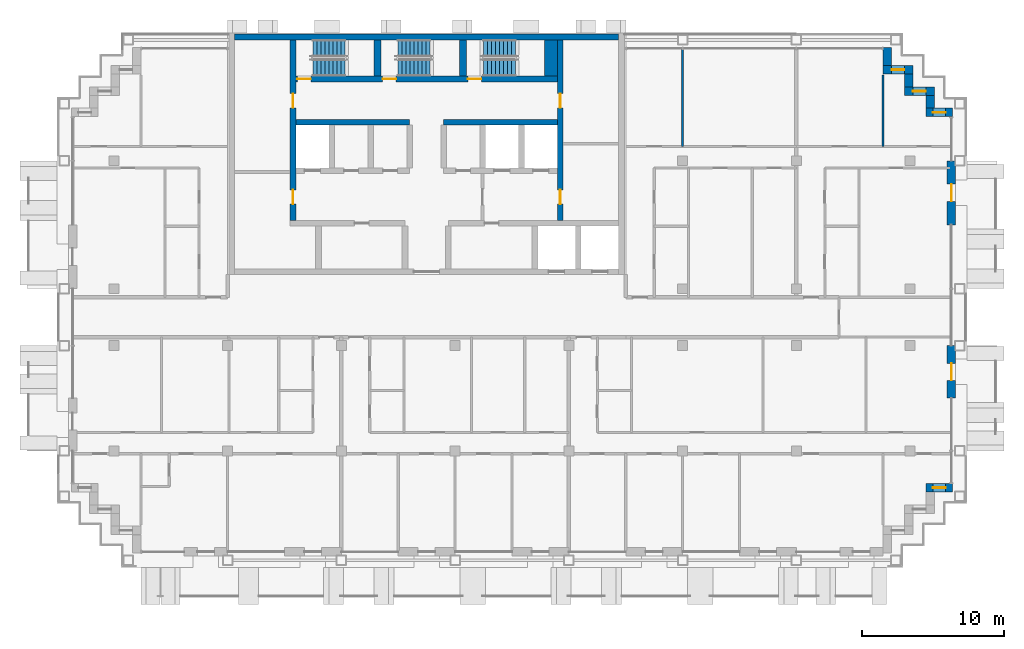
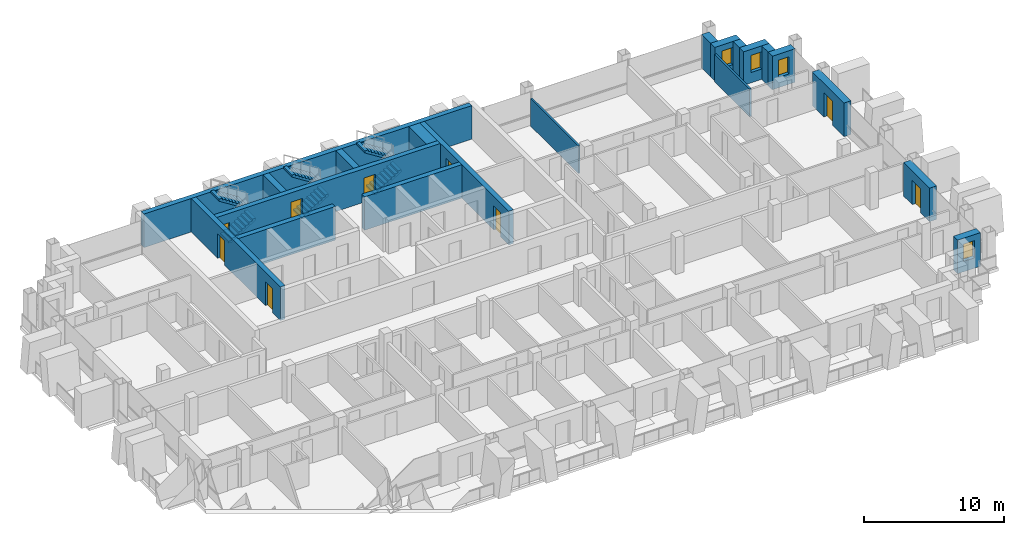
# One storey, part 12 of 16: 20 walls, 9 doors, 6 stair flights, 4 windows, 13 openings, 3 elements without a shape of their own.
"""IFC4 building model written with IfcOpenShell, lengths in metres."""

from ifc_helpers import new_model, si_unit, direction, frame, frame_2d, origin, place, context, subcontext, project, spatial, polyline, rectangle, outline, extrude, material, layer, layer_set, type_object, element, fill, aggregate, save


model = new_model("IFC4")

# Units and contexts
model_context = context("Model", 3, precision=1e-05, world=origin(), true_north=direction((0.0, 1.0)))
body_context = subcontext(model_context, "Body", "Model", "MODEL_VIEW")
ifc_project = project(units=[si_unit("LENGTHUNIT", "METRE"), si_unit("AREAUNIT", "SQUARE_METRE"), si_unit("VOLUMEUNIT", "CUBIC_METRE"), si_unit("PLANEANGLEUNIT", "RADIAN"), si_unit("MASSUNIT", "GRAM", prefix="KILO")], contexts=[model_context])

# Site, building, storey
site_placement = place(None, origin())
site = spatial("IfcSite", under=ifc_project, at=site_placement, CompositionType="ELEMENT")
building_placement = place(site_placement, origin())
building = spatial("IfcBuilding", under=site, at=building_placement, Name="Vidyagriha Tower", CompositionType="ELEMENT")
storey_placement = place(building_placement, frame((0.0, 0.0, 165.300048828125)))
storey = spatial("IfcBuildingStorey", under=building, at=storey_placement, Name="L42", CompositionType="ELEMENT", Elevation=165.300048828125)

# Wall, opening, window
ifc_material_1 = material(Name="Precast concrete C40/50 with brick facing", Category="concrete")
ifc_layer_1 = layer(ifc_material_1, 0.60009765625)
ifc_layer_set_1 = layer_set([ifc_layer_1], Name="Precast concrete C40/50 with brick facing")
wall_type_1 = type_object("IfcWallType", Name="Brick-faced precast wall 600", PredefinedType="STANDARD", material=ifc_layer_set_1)
wall_1_placement = place(storey_placement, frame((36.97998046875, 14.39990234375, 0.0), z_axis=(0.0, 0.0, 1.0), x_axis=(-1.0, 0.0, 0.0)))
wall_1 = element("IfcWall", 1, at=wall_1_placement, inside=storey, type_object=wall_type_1, Name="Stepped corner wall L42 R01", PredefinedType="STANDARD", context=body_context, shape_type="SweptSolid", body=[
    extrude(rectangle(XDim=1.8798828125, YDim=0.60009765625, at=frame_2d((0.93994140625, 0.0))), origin(), (0.0, 0.0, 1.0), 2.919921875),
])
opening_1_placement = place(wall_1_placement, frame((0.489990234375, 0.0, 0.89990234375)))
opening_1 = element("IfcOpeningElement", 2, at=opening_1_placement, cuts=wall_1, Name="Opening WN1", PredefinedType="OPENING", context=body_context, shape_type="SweptSolid", body=[
    extrude(rectangle(XDim=0.89990234375, YDim=1.5, at=frame_2d((0.449951171875, 0.75))), frame((0.0, 0.31005859375, 0.0), z_axis=(0.0, -1.0, 0.0), x_axis=(1.0, 0.0, 0.0)), (0.0, 0.0, 1.0), 0.6201171875),
])
ifc_material_2 = material(Name="Aluminium and glass window", Category="aluminium")
window_type = type_object("IfcWindowType", Name="Reveal window 900x1500", PartitioningType="NOTDEFINED", PredefinedType="WINDOW", material=ifc_material_2)
window_1_placement = place(opening_1_placement, origin())
window_1 = element("IfcWindow", 3, at=window_1_placement, inside=storey, type_object=window_type, Name="Reveal window L42 R01", OverallHeight=1.5, OverallWidth=0.89990234375, PartitioningType="SINGLE_PANEL", PredefinedType="WINDOW", context=body_context, shape_type="SweptSolid", body=[
    extrude(rectangle(XDim=0.89990234375, YDim=1.5, at=frame_2d((0.449951171875, 0.75))), frame((0.0, 0.030029296875, 0.0), z_axis=(0.0, -1.0, 0.0), x_axis=(1.0, 0.0, 0.0)), (0.0, 0.0, 1.0), 0.06005859375),
])
fill(opening_1, window_1)

# Wall
wall_2_placement = place(storey_placement, frame((35.39990234375, 14.699951171875, 0.0), z_axis=(0.0, 0.0, 1.0), x_axis=(0.0, 1.0, 0.0)))
element("IfcWall", 4, at=wall_2_placement, inside=storey, type_object=wall_type_1, Name="Stepped corner wall L42 R02", PredefinedType="STANDARD", context=body_context, shape_type="SweptSolid", body=[
    extrude(rectangle(XDim=0.900146484375, YDim=0.60009765625, at=frame_2d((0.4501953125, 0.0))), origin(), (0.0, 0.0, 1.0), 2.919921875),
])

# Wall, opening, window
wall_3_placement = place(storey_placement, frame((35.699951171875, 15.89990234375, 0.0), z_axis=(0.0, 0.0, 1.0), x_axis=(-1.0, 0.0, 0.0)))
wall_3 = element("IfcWall", 5, at=wall_3_placement, inside=storey, type_object=wall_type_1, Name="Stepped corner wall L42 R03", PredefinedType="STANDARD", context=body_context, shape_type="SweptSolid", body=[
    extrude(rectangle(XDim=2.099853515625, YDim=0.60009765625, at=frame_2d((1.0498046875, 0.0))), origin(), (0.0, 0.0, 1.0), 2.919921875),
])
opening_2_placement = place(wall_3_placement, frame((0.60009765625, 0.0, 0.89990234375)))
opening_2 = element("IfcOpeningElement", 6, at=opening_2_placement, cuts=wall_3, Name="Opening WN1", PredefinedType="OPENING", context=body_context, shape_type="SweptSolid", body=[
    extrude(rectangle(XDim=0.89990234375, YDim=1.5, at=frame_2d((0.449951171875, 0.75))), frame((0.0, 0.31005859375, 0.0), z_axis=(0.0, -1.0, 0.0), x_axis=(1.0, 0.0, 0.0)), (0.0, 0.0, 1.0), 0.6201171875),
])
window_2_placement = place(opening_2_placement, origin())
window_2 = element("IfcWindow", 7, at=window_2_placement, inside=storey, type_object=window_type, Name="Reveal window L42 R03", OverallHeight=1.5, OverallWidth=0.89990234375, PartitioningType="SINGLE_PANEL", PredefinedType="WINDOW", context=body_context, shape_type="SweptSolid", body=[
    extrude(rectangle(XDim=0.89990234375, YDim=1.5, at=frame_2d((0.449951171875, 0.75))), frame((0.0, 0.030029296875, 0.0), z_axis=(0.0, -1.0, 0.0), x_axis=(1.0, 0.0, 0.0)), (0.0, 0.0, 1.0), 0.06005859375),
])
fill(opening_2, window_2)

# Wall
wall_4_placement = place(storey_placement, frame((33.89990234375, 16.199951171875, 0.0), z_axis=(0.0, 0.0, 1.0), x_axis=(0.0, 1.0, 0.0)))
element("IfcWall", 8, at=wall_4_placement, inside=storey, type_object=wall_type_1, Name="Stepped corner wall L42 R04", PredefinedType="STANDARD", context=body_context, shape_type="SweptSolid", body=[
    extrude(rectangle(XDim=0.900146484375, YDim=0.60009765625, at=frame_2d((0.4501953125, 0.0))), origin(), (0.0, 0.0, 1.0), 2.919921875),
])

# Wall, opening, window
wall_5_placement = place(storey_placement, frame((34.199951171875, 17.39990234375, 0.0), z_axis=(0.0, 0.0, 1.0), x_axis=(-1.0, 0.0, 0.0)))
wall_5 = element("IfcWall", 9, at=wall_5_placement, inside=storey, type_object=wall_type_1, Name="Stepped corner wall L42 R05", PredefinedType="STANDARD", context=body_context, shape_type="SweptSolid", body=[
    extrude(rectangle(XDim=2.099853515625, YDim=0.60009765625, at=frame_2d((1.0498046875, 0.0))), origin(), (0.0, 0.0, 1.0), 2.919921875),
])
opening_3_placement = place(wall_5_placement, frame((0.60009765625, 0.0, 0.89990234375)))
opening_3 = element("IfcOpeningElement", 10, at=opening_3_placement, cuts=wall_5, Name="Opening WN1", PredefinedType="OPENING", context=body_context, shape_type="SweptSolid", body=[
    extrude(rectangle(XDim=0.89990234375, YDim=1.5, at=frame_2d((0.449951171875, 0.75))), frame((0.0, 0.31005859375, 0.0), z_axis=(0.0, -1.0, 0.0), x_axis=(1.0, 0.0, 0.0)), (0.0, 0.0, 1.0), 0.6201171875),
])
window_3_placement = place(opening_3_placement, origin())
window_3 = element("IfcWindow", 11, at=window_3_placement, inside=storey, type_object=window_type, Name="Reveal window L42 R05", OverallHeight=1.5, OverallWidth=0.89990234375, PartitioningType="SINGLE_PANEL", PredefinedType="WINDOW", context=body_context, shape_type="SweptSolid", body=[
    extrude(rectangle(XDim=0.89990234375, YDim=1.5, at=frame_2d((0.449951171875, 0.75))), frame((0.0, 0.030029296875, 0.0), z_axis=(0.0, -1.0, 0.0), x_axis=(1.0, 0.0, 0.0)), (0.0, 0.0, 1.0), 0.06005859375),
])
fill(opening_3, window_3)

# Wall
wall_6_placement = place(storey_placement, frame((32.39990234375, 17.699951171875, 0.0), z_axis=(0.0, 0.0, 1.0), x_axis=(0.0, 1.0, 0.0)))
element("IfcWall", 12, at=wall_6_placement, inside=storey, type_object=wall_type_1, Name="Stepped corner wall L42 R06", PredefinedType="STANDARD", context=body_context, shape_type="SweptSolid", body=[
    extrude(rectangle(XDim=1.280029296875, YDim=0.60009765625, at=frame_2d((0.64013671875, 0.0))), origin(), (0.0, 0.0, 1.0), 2.919921875),
])

# Wall, opening, window
wall_7_placement = place(storey_placement, frame((35.10009765625, -12.0, 0.0)))
wall_7 = element("IfcWall", 13, at=wall_7_placement, inside=storey, type_object=wall_type_1, Name="Stepped corner wall L42 R29", PredefinedType="STANDARD", context=body_context, shape_type="SweptSolid", body=[
    extrude(rectangle(XDim=1.8798828125, YDim=0.60009765625, at=frame_2d((0.93994140625, 0.0))), origin(), (0.0, 0.0, 1.0), 2.919921875),
])
opening_4_placement = place(wall_7_placement, frame((0.489990234375, 0.0, 0.89990234375)))
opening_4 = element("IfcOpeningElement", 14, at=opening_4_placement, cuts=wall_7, Name="Opening WN1", PredefinedType="OPENING", context=body_context, shape_type="SweptSolid", body=[
    extrude(rectangle(XDim=0.89990234375, YDim=1.5, at=frame_2d((0.449951171875, 0.75))), frame((0.0, 0.31005859375, 0.0), z_axis=(0.0, -1.0, 0.0), x_axis=(1.0, 0.0, 0.0)), (0.0, 0.0, 1.0), 0.6201171875),
])
window_4_placement = place(opening_4_placement, origin())
window_4 = element("IfcWindow", 15, at=window_4_placement, inside=storey, type_object=window_type, Name="Reveal window L42 R29", OverallHeight=1.5, OverallWidth=0.89990234375, PartitioningType="SINGLE_PANEL", PredefinedType="WINDOW", context=body_context, shape_type="SweptSolid", body=[
    extrude(rectangle(XDim=0.89990234375, YDim=1.5, at=frame_2d((0.449951171875, 0.75))), frame((0.0, 0.030029296875, 0.0), z_axis=(0.0, -1.0, 0.0), x_axis=(1.0, 0.0, 0.0)), (0.0, 0.0, 1.0), 0.06005859375),
])
fill(opening_4, window_4)

# Wall, opening, door
wall_8_placement = place(storey_placement, frame((36.89990234375, -5.699951171875, 0.0), z_axis=(0.0, 0.0, 1.0), x_axis=(0.0, 1.0, 0.0)))
wall_8 = element("IfcWall", 16, at=wall_8_placement, inside=storey, type_object=wall_type_1, Name="Brick door bay wall L42 R30.3", PredefinedType="STANDARD", context=body_context, shape_type="SweptSolid", body=[
    extrude(rectangle(XDim=3.699951171875, YDim=0.60009765625, at=frame_2d((1.85009765625, 0.0))), origin(), (0.0, 0.0, 1.0), 2.919921875),
])
opening_5_placement = place(wall_8_placement, frame((1.25, 0.0, 0.0)))
opening_5 = element("IfcOpeningElement", 17, at=opening_5_placement, cuts=wall_8, Name="Opening D42-75", PredefinedType="OPENING", context=body_context, shape_type="SweptSolid", body=[
    extrude(rectangle(XDim=1.199951171875, YDim=2.10009765625, at=frame_2d((0.60009765625, 1.050048828125))), frame((0.0, 0.31005859375, 0.0), z_axis=(0.0, -1.0, 0.0), x_axis=(1.0, 0.0, 0.0)), (0.0, 0.0, 1.0), 0.6201171875),
])
ifc_material_3 = material(Name="Aluminium framed glazed sliding door", Category="aluminium")
door_type_1 = type_object("IfcDoorType", Name="Balcony sliding door 1200x2100", OperationType="NOTDEFINED", PredefinedType="DOOR", material=ifc_material_3)
door_1_placement = place(opening_5_placement, origin())
door_1 = element("IfcDoor", 18, at=door_1_placement, inside=storey, type_object=door_type_1, Name="Door D42-75", OperationType="SLIDING_TO_LEFT", OverallHeight=2.10009765625, OverallWidth=1.199951171875, PredefinedType="DOOR", context=body_context, shape_type="SweptSolid", body=[
    extrude(rectangle(XDim=1.199951171875, YDim=2.10009765625, at=frame_2d((0.60009765625, 1.050048828125))), frame((0.0, 0.02490234375, 0.0), z_axis=(0.0, -1.0, 0.0), x_axis=(1.0, 0.0, 0.0)), (0.0, 0.0, 1.0), 0.050048828125),
])
fill(opening_5, door_1)

wall_9_placement = place(storey_placement, frame((36.89990234375, 6.5, 0.0), z_axis=(0.0, 0.0, 1.0), x_axis=(0.0, 1.0, 0.0)))
wall_9 = element("IfcWall", 19, at=wall_9_placement, inside=storey, type_object=wall_type_1, Name="Brick door bay wall L42 R30.6", PredefinedType="STANDARD", context=body_context, shape_type="SweptSolid", body=[
    extrude(rectangle(XDim=4.5, YDim=0.60009765625, at=frame_2d((2.25, 0.0))), origin(), (0.0, 0.0, 1.0), 2.919921875),
])
opening_6_placement = place(wall_9_placement, frame((1.64990234375, 0.0, 0.0)))
opening_6 = element("IfcOpeningElement", 20, at=opening_6_placement, cuts=wall_9, Name="Opening D42-76", PredefinedType="OPENING", context=body_context, shape_type="SweptSolid", body=[
    extrude(rectangle(XDim=1.199951171875, YDim=2.10009765625, at=frame_2d((0.60009765625, 1.050048828125))), frame((0.0, 0.31005859375, 0.0), z_axis=(0.0, -1.0, 0.0), x_axis=(1.0, 0.0, 0.0)), (0.0, 0.0, 1.0), 0.6201171875),
])
door_2_placement = place(opening_6_placement, origin())
door_2 = element("IfcDoor", 21, at=door_2_placement, inside=storey, type_object=door_type_1, Name="Door D42-76", OperationType="SLIDING_TO_LEFT", OverallHeight=2.10009765625, OverallWidth=1.199951171875, PredefinedType="DOOR", context=body_context, shape_type="SweptSolid", body=[
    extrude(rectangle(XDim=1.199951171875, YDim=2.10009765625, at=frame_2d((0.60009765625, 1.050048828125))), frame((0.0, 0.02490234375, 0.0), z_axis=(0.0, -1.0, 0.0), x_axis=(1.0, 0.0, 0.0)), (0.0, 0.0, 1.0), 0.050048828125),
])
fill(opening_6, door_2)

# Wall
ifc_material_4 = material(Name="Concrete C60/75", Category="concrete")
ifc_layer_2 = layer(ifc_material_4, 0.39990234375)
ifc_layer_set_2 = layer_set([ifc_layer_2], Name="Concrete C60/75")
wall_type_2 = type_object("IfcWallType", Name="Core shear wall 400 mm", PredefinedType="SHEAR", material=ifc_layer_set_2)
wall_10_placement = place(storey_placement, frame((-13.5, 19.699951171875, 0.0)))
element("IfcWall", 22, at=wall_10_placement, inside=storey, type_object=wall_type_2, Name="Core north wall", PredefinedType="SHEAR", context=body_context, shape_type="SweptSolid", body=[
    extrude(rectangle(XDim=27.0, YDim=0.39990234375, at=frame_2d((13.5, 0.0))), origin(), (0.0, 0.0, 1.0), 2.919921875),
])

# Wall, openings, doors
wall_11_placement = place(storey_placement, frame((-9.39990234375, 6.800048828125, 0.0), z_axis=(0.0, 0.0, 1.0), x_axis=(0.0, 1.0, 0.0)))
wall_11 = element("IfcWall", 23, at=wall_11_placement, inside=storey, type_object=wall_type_2, Name="Core west spine wall", PredefinedType="SHEAR", context=body_context, shape_type="SweptSolid", body=[
    extrude(rectangle(XDim=12.699951171875, YDim=0.39990234375, at=frame_2d((6.35009765625, 0.0))), origin(), (0.0, 0.0, 1.0), 2.919921875),
])
opening_7_placement = place(wall_11_placement, frame((1.14990234375, 0.0, 0.0)))
opening_7 = element("IfcOpeningElement", 24, at=opening_7_placement, cuts=wall_11, Name="Opening D42-11", PredefinedType="OPENING", context=body_context, shape_type="SweptSolid", body=[
    extrude(rectangle(XDim=1.0, YDim=2.10009765625, at=frame_2d((0.5, 1.050048828125))), frame((0.0, 0.2099609375, 0.0), z_axis=(0.0, -1.0, 0.0), x_axis=(1.0, 0.0, 0.0)), (0.0, 0.0, 1.0), 0.419921875),
])
opening_8_placement = place(wall_11_placement, frame((7.925048828125, 0.0, 0.0)))
opening_8 = element("IfcOpeningElement", 25, at=opening_8_placement, cuts=wall_11, Name="Opening D42-12", PredefinedType="OPENING", context=body_context, shape_type="SweptSolid", body=[
    extrude(rectangle(XDim=1.0, YDim=2.10009765625, at=frame_2d((0.5, 1.050048828125))), frame((0.0, 0.2099609375, 0.0), z_axis=(0.0, -1.0, 0.0), x_axis=(1.0, 0.0, 0.0)), (0.0, 0.0, 1.0), 0.419921875),
])
ifc_material_5 = material(Name="Hollow metal door leaf")
door_type_2 = type_object("IfcDoorType", Name="Core room door 1000 x 2100 mm EI 60", OperationType="NOTDEFINED", PredefinedType="DOOR", material=ifc_material_5)
door_3_placement = place(opening_7_placement, frame((1.0, 0.0, 0.0), z_axis=(0.0, 0.0, 1.0), x_axis=(-1.0, 0.0, 0.0)))
door_3 = element("IfcDoor", 26, at=door_3_placement, inside=storey, type_object=door_type_2, Name="Door Storage Room 42.W1", OperationType="SINGLE_SWING_RIGHT", OverallHeight=2.10009765625, OverallWidth=1.0, PredefinedType="DOOR", context=body_context, shape_type="SweptSolid", body=[
    extrude(rectangle(XDim=1.0, YDim=2.10009765625, at=frame_2d((0.5, 1.050048828125))), frame((0.0, 0.02490234375, 0.0), z_axis=(0.0, -1.0, 0.0), x_axis=(1.0, 0.0, 0.0)), (0.0, 0.0, 1.0), 0.050048828125),
])
fill(opening_7, door_3)
door_4_placement = place(opening_8_placement, frame((1.0, 0.0, 0.0), z_axis=(0.0, 0.0, 1.0), x_axis=(-1.0, 0.0, 0.0)))
door_4 = element("IfcDoor", 27, at=door_4_placement, inside=storey, type_object=door_type_2, Name="Door Cleaners Store 42.W2", OperationType="SINGLE_SWING_LEFT", OverallHeight=2.10009765625, OverallWidth=1.0, PredefinedType="DOOR", context=body_context, shape_type="SweptSolid", body=[
    extrude(rectangle(XDim=1.0, YDim=2.10009765625, at=frame_2d((0.5, 1.050048828125))), frame((0.0, 0.02490234375, 0.0), z_axis=(0.0, -1.0, 0.0), x_axis=(1.0, 0.0, 0.0)), (0.0, 0.0, 1.0), 0.050048828125),
])
fill(opening_8, door_4)

wall_12_placement = place(storey_placement, frame((9.39990234375, 6.800048828125, 0.0), z_axis=(0.0, 0.0, 1.0), x_axis=(0.0, 1.0, 0.0)))
wall_12 = element("IfcWall", 28, at=wall_12_placement, inside=storey, type_object=wall_type_2, Name="Core east spine wall", PredefinedType="SHEAR", context=body_context, shape_type="SweptSolid", body=[
    extrude(rectangle(XDim=12.699951171875, YDim=0.39990234375, at=frame_2d((6.35009765625, 0.0))), origin(), (0.0, 0.0, 1.0), 2.919921875),
])
opening_9_placement = place(wall_12_placement, frame((1.14990234375, 0.0, 0.0)))
opening_9 = element("IfcOpeningElement", 29, at=opening_9_placement, cuts=wall_12, Name="Opening D42-13", PredefinedType="OPENING", context=body_context, shape_type="SweptSolid", body=[
    extrude(rectangle(XDim=1.0, YDim=2.10009765625, at=frame_2d((0.5, 1.050048828125))), frame((0.0, 0.2099609375, 0.0), z_axis=(0.0, -1.0, 0.0), x_axis=(1.0, 0.0, 0.0)), (0.0, 0.0, 1.0), 0.419921875),
])
opening_10_placement = place(wall_12_placement, frame((7.925048828125, 0.0, 0.0)))
opening_10 = element("IfcOpeningElement", 30, at=opening_10_placement, cuts=wall_12, Name="Opening D42-14", PredefinedType="OPENING", context=body_context, shape_type="SweptSolid", body=[
    extrude(rectangle(XDim=1.0, YDim=2.10009765625, at=frame_2d((0.5, 1.050048828125))), frame((0.0, 0.2099609375, 0.0), z_axis=(0.0, -1.0, 0.0), x_axis=(1.0, 0.0, 0.0)), (0.0, 0.0, 1.0), 0.419921875),
])
door_5_placement = place(opening_9_placement, origin())
door_5 = element("IfcDoor", 31, at=door_5_placement, inside=storey, type_object=door_type_2, Name="Door Communications Room 42.E1", OperationType="SINGLE_SWING_RIGHT", OverallHeight=2.10009765625, OverallWidth=1.0, PredefinedType="DOOR", context=body_context, shape_type="SweptSolid", body=[
    extrude(rectangle(XDim=1.0, YDim=2.10009765625, at=frame_2d((0.5, 1.050048828125))), frame((0.0, 0.02490234375, 0.0), z_axis=(0.0, -1.0, 0.0), x_axis=(1.0, 0.0, 0.0)), (0.0, 0.0, 1.0), 0.050048828125),
])
fill(opening_9, door_5)
door_6_placement = place(opening_10_placement, origin())
door_6 = element("IfcDoor", 32, at=door_6_placement, inside=storey, type_object=door_type_2, Name="Door Riser Room 42.E2", OperationType="SINGLE_SWING_LEFT", OverallHeight=2.10009765625, OverallWidth=1.0, PredefinedType="DOOR", context=body_context, shape_type="SweptSolid", body=[
    extrude(rectangle(XDim=1.0, YDim=2.10009765625, at=frame_2d((0.5, 1.050048828125))), frame((0.0, 0.02490234375, 0.0), z_axis=(0.0, -1.0, 0.0), x_axis=(1.0, 0.0, 0.0)), (0.0, 0.0, 1.0), 0.050048828125),
])
fill(opening_10, door_6)

# Walls
for number, where, name in (
    (33, (-9.199951171875, 13.699951171875, 0.0), "Core row N rear wall"),
    (34, (1.199951171875, 13.699951171875, 0.0), "Core row N rear wall"),
):
    element("IfcWall", number, at=place(storey_placement, frame(where)), inside=storey, type_object=wall_type_2, Name=name, PredefinedType="SHEAR", context=body_context, shape_type="SweptSolid", body=[
        extrude(rectangle(XDim=8.0, YDim=0.39990234375, at=frame_2d((4.0, 0.0))), origin(), (0.0, 0.0, 1.0), 2.919921875),
    ])

# Wall, openings, doors
wall_13_placement = place(storey_placement, frame((-9.199951171875, 16.75, 0.0)))
wall_13 = element("IfcWall", 35, at=wall_13_placement, inside=storey, type_object=wall_type_2, Name="Stair front wall", PredefinedType="SHEAR", context=body_context, shape_type="SweptSolid", body=[
    extrude(rectangle(XDim=18.39990234375, YDim=0.39990234375, at=frame_2d((9.199951171875, 0.0))), origin(), (0.0, 0.0, 1.0), 2.919921875),
])
opening_11_placement = place(wall_13_placement, frame((0.10009765625, 0.0, 0.0)))
opening_11 = element("IfcOpeningElement", 36, at=opening_11_placement, cuts=wall_13, Name="Opening D42-08", PredefinedType="OPENING", context=body_context, shape_type="SweptSolid", body=[
    extrude(rectangle(XDim=0.949951171875, YDim=2.10009765625, at=frame_2d((0.47509765625, 1.050048828125))), frame((0.0, 0.2099609375, 0.0), z_axis=(0.0, -1.0, 0.0), x_axis=(1.0, 0.0, 0.0)), (0.0, 0.0, 1.0), 0.419921875),
])
opening_12_placement = place(wall_13_placement, frame((6.10009765625, 0.0, 0.0)))
opening_12 = element("IfcOpeningElement", 37, at=opening_12_placement, cuts=wall_13, Name="Opening D42-09", PredefinedType="OPENING", context=body_context, shape_type="SweptSolid", body=[
    extrude(rectangle(XDim=0.949951171875, YDim=2.10009765625, at=frame_2d((0.47509765625, 1.050048828125))), frame((0.0, 0.2099609375, 0.0), z_axis=(0.0, -1.0, 0.0), x_axis=(1.0, 0.0, 0.0)), (0.0, 0.0, 1.0), 0.419921875),
])
opening_13_placement = place(wall_13_placement, frame((12.10009765625, 0.0, 0.0)))
opening_13 = element("IfcOpeningElement", 38, at=opening_13_placement, cuts=wall_13, Name="Opening D42-10", PredefinedType="OPENING", context=body_context, shape_type="SweptSolid", body=[
    extrude(rectangle(XDim=0.949951171875, YDim=2.10009765625, at=frame_2d((0.47509765625, 1.050048828125))), frame((0.0, 0.2099609375, 0.0), z_axis=(0.0, -1.0, 0.0), x_axis=(1.0, 0.0, 0.0)), (0.0, 0.0, 1.0), 0.419921875),
])
ifc_material_6 = material(Name="Hollow metal door leaf")
door_type_3 = type_object("IfcDoorType", Name="Exit stair door 950 x 2100 mm EI 90", OperationType="NOTDEFINED", PredefinedType="DOOR", material=ifc_material_6)
door_7_placement = place(opening_11_placement, origin())
door_7 = element("IfcDoor", 39, at=door_7_placement, inside=storey, type_object=door_type_3, Name="Stair door ST1 L42", OperationType="SINGLE_SWING_LEFT", OverallHeight=2.10009765625, OverallWidth=0.949951171875, PredefinedType="DOOR", context=body_context, shape_type="SweptSolid", body=[
    extrude(rectangle(XDim=0.949951171875, YDim=2.10009765625, at=frame_2d((0.47509765625, 1.050048828125))), frame((0.0, 0.02490234375, 0.0), z_axis=(0.0, -1.0, 0.0), x_axis=(1.0, 0.0, 0.0)), (0.0, 0.0, 1.0), 0.050048828125),
])
fill(opening_11, door_7)
door_8_placement = place(opening_12_placement, origin())
door_8 = element("IfcDoor", 40, at=door_8_placement, inside=storey, type_object=door_type_3, Name="Stair door ST2 L42", OperationType="SINGLE_SWING_LEFT", OverallHeight=2.10009765625, OverallWidth=0.949951171875, PredefinedType="DOOR", context=body_context, shape_type="SweptSolid", body=[
    extrude(rectangle(XDim=0.949951171875, YDim=2.10009765625, at=frame_2d((0.47509765625, 1.050048828125))), frame((0.0, 0.02490234375, 0.0), z_axis=(0.0, -1.0, 0.0), x_axis=(1.0, 0.0, 0.0)), (0.0, 0.0, 1.0), 0.050048828125),
])
fill(opening_12, door_8)
door_9_placement = place(opening_13_placement, origin())
door_9 = element("IfcDoor", 41, at=door_9_placement, inside=storey, type_object=door_type_3, Name="Stair door ST3 L42", OperationType="SINGLE_SWING_LEFT", OverallHeight=2.10009765625, OverallWidth=0.949951171875, PredefinedType="DOOR", context=body_context, shape_type="SweptSolid", body=[
    extrude(rectangle(XDim=0.949951171875, YDim=2.10009765625, at=frame_2d((0.47509765625, 1.050048828125))), frame((0.0, 0.02490234375, 0.0), z_axis=(0.0, -1.0, 0.0), x_axis=(1.0, 0.0, 0.0)), (0.0, 0.0, 1.0), 0.050048828125),
])
fill(opening_13, door_9)

# Walls
ifc_material_7 = material(Name="Concrete C60/75", Category="concrete")
ifc_layer_3 = layer(ifc_material_7, 0.5)
ifc_layer_set_3 = layer_set([ifc_layer_3], Name="Concrete C60/75")
wall_type_3 = type_object("IfcWallType", Name="Core shear wall 500 mm", PredefinedType="SHEAR", material=ifc_layer_set_3)
for number, where, z_axis, x_axis, name in (
    (42, (-3.449951171875, 16.949951171875, 0.0), (0.0, 0.0, 1.0), (0.0, 1.0, 0.0), "Stair partition wall 1"),
    (43, (2.550048828125, 16.949951171875, 0.0), (0.0, 0.0, 1.0), (0.0, 1.0, 0.0), "Stair partition wall 2"),
):
    element("IfcWall", number, at=place(storey_placement, frame(where, z_axis=z_axis, x_axis=x_axis)), inside=storey, type_object=wall_type_3, Name=name, PredefinedType="SHEAR", context=body_context, shape_type="SweptSolid", body=[
        extrude(rectangle(XDim=2.550048828125, YDim=0.5, at=frame_2d((1.27490234375, 0.0))), origin(), (0.0, 0.0, 1.0), 2.919921875),
    ])
ifc_material_8 = material(Name="Concrete C60/75", Category="concrete")
ifc_layer_4 = layer(ifc_material_8, 0.89990234375)
ifc_layer_set_4 = layer_set([ifc_layer_4], Name="Concrete C60/75")
wall_type_4 = type_object("IfcWallType", Name="Core shear wall 900 mm", PredefinedType="SHEAR", material=ifc_layer_set_4)
wall_14_placement = place(storey_placement, frame((8.75, 16.949951171875, 0.0), z_axis=(0.0, 0.0, 1.0), x_axis=(0.0, 1.0, 0.0)))
element("IfcWall", 44, at=wall_14_placement, inside=storey, type_object=wall_type_4, Name="Stair end wall", PredefinedType="SHEAR", context=body_context, shape_type="SweptSolid", body=[
    extrude(rectangle(XDim=2.550048828125, YDim=0.89990234375, at=frame_2d((1.27490234375, 0.0))), origin(), (0.0, 0.0, 1.0), 2.919921875),
])
ifc_material_9 = material(Name="Gypsum board partition")
ifc_layer_5 = layer(ifc_material_9, 0.14990234375)
ifc_layer_set_5 = layer_set([ifc_layer_5], Name="Gypsum board partition")
wall_type_5 = type_object("IfcWallType", Name="Gypsum board partition 150", PredefinedType="PARTITIONING", material=ifc_layer_set_5)
wall_15_placement = place(storey_placement, frame((18.0, 18.821044921875, 0.0), z_axis=(0.0, 0.0, 1.0), x_axis=(0.0, -1.0, 0.0)))
element("IfcWall", 45, at=wall_15_placement, inside=storey, type_object=wall_type_5, Name="Wall all-L42-w094", PredefinedType="PARTITIONING", context=body_context, shape_type="SweptSolid", body=[
    extrude(rectangle(XDim=6.821044921875, YDim=0.14990234375, at=frame_2d((3.41064453125, 0.0))), origin(), (0.0, 0.0, 1.0), 2.39990234375),
])
wall_16_placement = place(storey_placement, frame((32.10009765625, 17.02001953125, 0.0), z_axis=(0.0, 0.0, 1.0), x_axis=(0.0, -1.0, 0.0)))
element("IfcWall", 46, at=wall_16_placement, inside=storey, type_object=wall_type_5, Name="Wall all-L42-w106", PredefinedType="PARTITIONING", context=body_context, shape_type="SweptSolid", body=[
    extrude(rectangle(XDim=5.02001953125, YDim=0.14990234375, at=frame_2d((2.510009765625, 0.0))), origin(), (0.0, 0.0, 1.0), 2.39990234375),
])

# Stair, stair flights
ifc_material_10 = material(Name="Concrete C40/50", Category="concrete")
stair_type = type_object("IfcStairType", Name="Exit stair, half-turn, precast flights", PredefinedType="HALF_TURN_STAIR", material=ifc_material_10)
stair_1_placement = place(storey_placement, origin())
stair_1 = element("IfcStair", 47, at=stair_1_placement, inside=storey, type_object=stair_type, Name="L42 Exit Stair ST1", PredefinedType="HALF_TURN_STAIR")
ifc_material_11 = material(Name="Precast concrete C40/50", Category="concrete")
stair_flight_type = type_object("IfcStairFlightType", Name="Exit stair flight 1200 mm, precast", PredefinedType="STRAIGHT", material=ifc_material_11)
stair_flight_1_placement = place(storey_placement, frame((-8.0, 17.550048828125, 0.0)))
stair_flight_1 = element("IfcStairFlight", 48, at=stair_flight_1_placement, type_object=stair_flight_type, Name="ST1 flight 1", NumberOfRisers=9, NumberOfTreads=8, PredefinedType="STRAIGHT", RiserHeight=0.177777778, TreadLength=0.28, context=body_context, shape_type="SweptSolid", body=[
    extrude(outline(polyline([(0.0, 0.0), (0.0, 0.177734375), (0.280029296875, 0.177734375), (0.280029296875, 0.35546875), (0.56005859375, 0.35546875), (0.56005859375, 0.533447265625), (0.840087890625, 0.533447265625), (0.840087890625, 0.711181640625), (1.1201171875, 0.711181640625), (1.1201171875, 0.888916015625), (1.39990234375, 0.888916015625), (1.39990234375, 1.066650390625), (1.679931640625, 1.066650390625), (1.679931640625, 1.244384765625), (1.9599609375, 1.244384765625), (1.9599609375, 1.422119140625), (2.239990234375, 1.422119140625), (2.239990234375, 1.60009765625), (2.239990234375, 1.24462890625), (0.27978515625, 0.0), (0.0, 0.0)])), frame((0.0, 0.60009765625, 0.0), z_axis=(0.0, -1.0, 0.0), x_axis=(1.0, 0.0, 0.0)), (0.0, 0.0, 1.0), 1.199951171875),
])
stair_flight_2_placement = place(storey_placement, frame((-5.760009765625, 18.89990234375, 1.599853515625), z_axis=(0.0, 0.0, 1.0), x_axis=(-1.0, 0.0, 0.0)))
stair_flight_2 = element("IfcStairFlight", 49, at=stair_flight_2_placement, type_object=stair_flight_type, Name="ST1 flight 2", NumberOfRisers=9, NumberOfTreads=8, PredefinedType="STRAIGHT", RiserHeight=0.177777778, TreadLength=0.28, context=body_context, shape_type="SweptSolid", body=[
    extrude(outline(polyline([(0.0, 0.0), (0.0, 0.177734375), (0.280029296875, 0.177734375), (0.280029296875, 0.35546875), (0.56005859375, 0.35546875), (0.56005859375, 0.533447265625), (0.840087890625, 0.533447265625), (0.840087890625, 0.711181640625), (1.1201171875, 0.711181640625), (1.1201171875, 0.888916015625), (1.39990234375, 0.888916015625), (1.39990234375, 1.066650390625), (1.679931640625, 1.066650390625), (1.679931640625, 1.244384765625), (1.9599609375, 1.244384765625), (1.9599609375, 1.422119140625), (2.239990234375, 1.422119140625), (2.239990234375, 1.60009765625), (2.239990234375, 1.24462890625), (0.27978515625, 0.0), (0.0, 0.0)])), frame((0.0, 0.60009765625, 0.0), z_axis=(0.0, -1.0, 0.0), x_axis=(1.0, 0.0, 0.0)), (0.0, 0.0, 1.0), 1.199951171875),
])
aggregate(stair_1, [stair_flight_1, stair_flight_2])

stair_2_placement = place(storey_placement, origin())
stair_2 = element("IfcStair", 50, at=stair_2_placement, inside=storey, type_object=stair_type, Name="L42 Exit Stair ST2", PredefinedType="HALF_TURN_STAIR")
stair_flight_3_placement = place(storey_placement, frame((-2.0, 17.550048828125, 0.0)))
stair_flight_3 = element("IfcStairFlight", 51, at=stair_flight_3_placement, type_object=stair_flight_type, Name="ST2 flight 1", NumberOfRisers=9, NumberOfTreads=8, PredefinedType="STRAIGHT", RiserHeight=0.177777778, TreadLength=0.28, context=body_context, shape_type="SweptSolid", body=[
    extrude(outline(polyline([(0.0, 0.0), (0.0, 0.177734375), (0.280029296875, 0.177734375), (0.280029296875, 0.35546875), (0.56005859375, 0.35546875), (0.56005859375, 0.533447265625), (0.840087890625, 0.533447265625), (0.840087890625, 0.711181640625), (1.1201171875, 0.711181640625), (1.1201171875, 0.888916015625), (1.39990234375, 0.888916015625), (1.39990234375, 1.066650390625), (1.679931640625, 1.066650390625), (1.679931640625, 1.244384765625), (1.9599609375, 1.244384765625), (1.9599609375, 1.422119140625), (2.239990234375, 1.422119140625), (2.239990234375, 1.60009765625), (2.239990234375, 1.24462890625), (0.27978515625, 0.0), (0.0, 0.0)])), frame((0.0, 0.60009765625, 0.0), z_axis=(0.0, -1.0, 0.0), x_axis=(1.0, 0.0, 0.0)), (0.0, 0.0, 1.0), 1.199951171875),
])
stair_flight_4_placement = place(storey_placement, frame((0.239990234375, 18.89990234375, 1.599853515625), z_axis=(0.0, 0.0, 1.0), x_axis=(-1.0, 0.0, 0.0)))
stair_flight_4 = element("IfcStairFlight", 52, at=stair_flight_4_placement, type_object=stair_flight_type, Name="ST2 flight 2", NumberOfRisers=9, NumberOfTreads=8, PredefinedType="STRAIGHT", RiserHeight=0.177777778, TreadLength=0.28, context=body_context, shape_type="SweptSolid", body=[
    extrude(outline(polyline([(0.0, 0.0), (0.0, 0.177734375), (0.280029296875, 0.177734375), (0.280029296875, 0.35546875), (0.56005859375, 0.35546875), (0.56005859375, 0.533447265625), (0.840087890625, 0.533447265625), (0.840087890625, 0.711181640625), (1.1201171875, 0.711181640625), (1.1201171875, 0.888916015625), (1.39990234375, 0.888916015625), (1.39990234375, 1.066650390625), (1.679931640625, 1.066650390625), (1.679931640625, 1.244384765625), (1.9599609375, 1.244384765625), (1.9599609375, 1.422119140625), (2.239990234375, 1.422119140625), (2.239990234375, 1.60009765625), (2.239990234375, 1.24462890625), (0.27978515625, 0.0), (0.0, 0.0)])), frame((0.0, 0.60009765625, 0.0), z_axis=(0.0, -1.0, 0.0), x_axis=(1.0, 0.0, 0.0)), (0.0, 0.0, 1.0), 1.199951171875),
])
aggregate(stair_2, [stair_flight_3, stair_flight_4])

stair_3_placement = place(storey_placement, origin())
stair_3 = element("IfcStair", 53, at=stair_3_placement, inside=storey, type_object=stair_type, Name="L42 Exit Stair ST3", PredefinedType="HALF_TURN_STAIR")
stair_flight_5_placement = place(storey_placement, frame((4.0, 17.550048828125, 0.0)))
stair_flight_5 = element("IfcStairFlight", 54, at=stair_flight_5_placement, type_object=stair_flight_type, Name="ST3 flight 1", NumberOfRisers=9, NumberOfTreads=8, PredefinedType="STRAIGHT", RiserHeight=0.177777778, TreadLength=0.28, context=body_context, shape_type="SweptSolid", body=[
    extrude(outline(polyline([(0.0, 0.0), (0.0, 0.177734375), (0.280029296875, 0.177734375), (0.280029296875, 0.35546875), (0.56005859375, 0.35546875), (0.56005859375, 0.533447265625), (0.840087890625, 0.533447265625), (0.840087890625, 0.711181640625), (1.1201171875, 0.711181640625), (1.1201171875, 0.888916015625), (1.39990234375, 0.888916015625), (1.39990234375, 1.066650390625), (1.679931640625, 1.066650390625), (1.679931640625, 1.244384765625), (1.9599609375, 1.244384765625), (1.9599609375, 1.422119140625), (2.239990234375, 1.422119140625), (2.239990234375, 1.60009765625), (2.239990234375, 1.24462890625), (0.27978515625, 0.0), (0.0, 0.0)])), frame((0.0, 0.60009765625, 0.0), z_axis=(0.0, -1.0, 0.0), x_axis=(1.0, 0.0, 0.0)), (0.0, 0.0, 1.0), 1.199951171875),
])
stair_flight_6_placement = place(storey_placement, frame((6.239990234375, 18.89990234375, 1.599853515625), z_axis=(0.0, 0.0, 1.0), x_axis=(-1.0, 0.0, 0.0)))
stair_flight_6 = element("IfcStairFlight", 55, at=stair_flight_6_placement, type_object=stair_flight_type, Name="ST3 flight 2", NumberOfRisers=9, NumberOfTreads=8, PredefinedType="STRAIGHT", RiserHeight=0.177777778, TreadLength=0.28, context=body_context, shape_type="SweptSolid", body=[
    extrude(outline(polyline([(0.0, 0.0), (0.0, 0.177734375), (0.280029296875, 0.177734375), (0.280029296875, 0.35546875), (0.56005859375, 0.35546875), (0.56005859375, 0.533447265625), (0.840087890625, 0.533447265625), (0.840087890625, 0.711181640625), (1.1201171875, 0.711181640625), (1.1201171875, 0.888916015625), (1.39990234375, 0.888916015625), (1.39990234375, 1.066650390625), (1.679931640625, 1.066650390625), (1.679931640625, 1.244384765625), (1.9599609375, 1.244384765625), (1.9599609375, 1.422119140625), (2.239990234375, 1.422119140625), (2.239990234375, 1.60009765625), (2.239990234375, 1.24462890625), (0.27978515625, 0.0), (0.0, 0.0)])), frame((0.0, 0.60009765625, 0.0), z_axis=(0.0, -1.0, 0.0), x_axis=(1.0, 0.0, 0.0)), (0.0, 0.0, 1.0), 1.199951171875),
])
aggregate(stair_3, [stair_flight_5, stair_flight_6])

save(model, "model.ifc")
